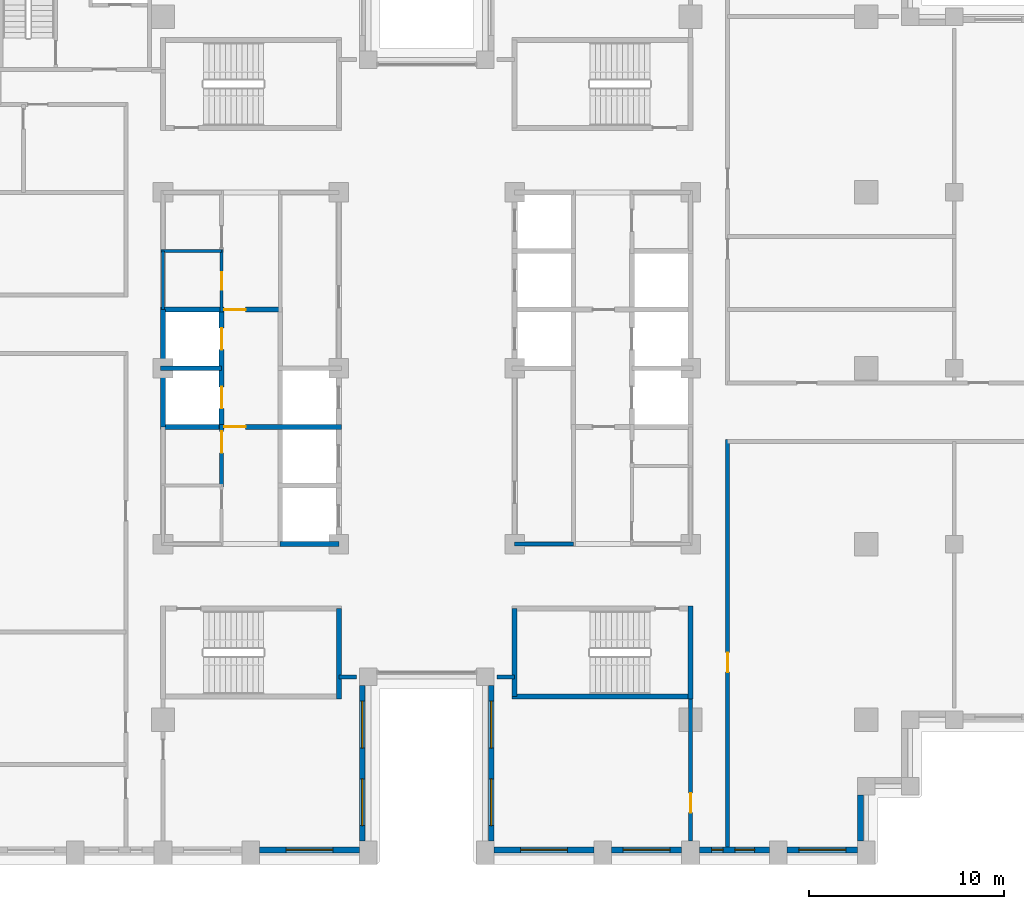
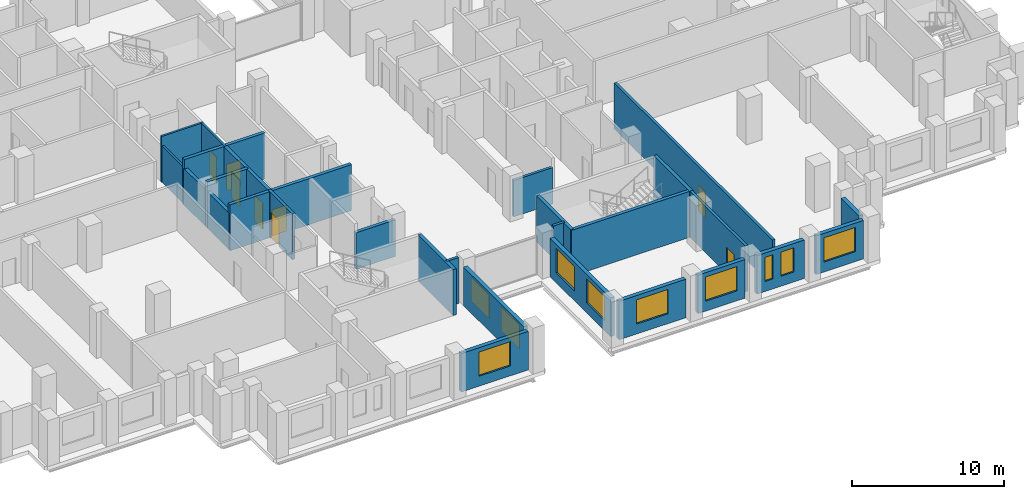
# One storey, part 7 of 15: 27 walls, 10 windows, 8 doors, 18 openings.
"""IFC4 building model written with IfcOpenShell, lengths in metres."""

from ifc_helpers import new_model, si_unit, direction, frame, frame_2d, origin, place, context, subcontext, project, spatial, rectangle, extrude, material, layer, layer_set, type_object, element, fill, save


model = new_model("IFC4")

# Units and contexts
model_context = context("Model", 3, precision=1e-05, world=origin(), true_north=direction((0.0, 1.0)))
body_context = subcontext(model_context, "Body", "Model", "MODEL_VIEW")
ifc_project = project(units=[si_unit("LENGTHUNIT", "METRE"), si_unit("AREAUNIT", "SQUARE_METRE"), si_unit("VOLUMEUNIT", "CUBIC_METRE"), si_unit("PLANEANGLEUNIT", "RADIAN"), si_unit("MASSUNIT", "GRAM", prefix="KILO")], contexts=[model_context])

# Site, building, storey
site_placement = place(None, origin())
site = spatial("IfcSite", under=ifc_project, at=site_placement, CompositionType="ELEMENT")
building_placement = place(site_placement, origin())
building = spatial("IfcBuilding", under=site, at=building_placement, Name="Corbelhall Arena Tower", CompositionType="ELEMENT")
storey_placement = place(building_placement, frame((0.0, 0.0, 84.0)))
storey = spatial("IfcBuildingStorey", under=building, at=storey_placement, Name="L13", CompositionType="ELEMENT", Elevation=84.0)

# Wall, opening, window
ifc_material_1 = material(Name="Precast concrete C40/50 with granite facing", Category="masonry")
ifc_layer_1 = layer(ifc_material_1, 0.300048828125)
ifc_layer_set_1 = layer_set([ifc_layer_1], Name="EV-IW1 Infill panel 300")
wall_type_1 = type_object("IfcWallType", Name="EV-IW1 Infill panel 300", PredefinedType="SOLIDWALL", material=ifc_layer_set_1)
wall_1_placement = place(storey_placement, frame((-8.550048828125, -24.64990234375, 0.0), z_axis=(0.0, 0.0, 1.0), x_axis=(1.0, 0.0, 0.0)))
wall_1 = element("IfcWall", 1, at=wall_1_placement, inside=storey, type_object=wall_type_1, Name="Infill panel IW1", PredefinedType="SOLIDWALL", context=body_context, shape_type="SweptSolid", body=[
    extrude(rectangle(XDim=5.10009765625, YDim=0.300048828125, at=frame_2d((2.550048828125, 0.0))), origin(), (0.0, 0.0, 1.0), 3.10009765625),
])
opening_1_placement = place(wall_1_placement, frame((1.35009765625, 0.0, 0.800048828125)))
opening_1 = element("IfcOpeningElement", 2, at=opening_1_placement, cuts=wall_1, Name="Opening WN1", PredefinedType="OPENING", context=body_context, shape_type="SweptSolid", body=[
    extrude(rectangle(XDim=2.39990234375, YDim=1.949951171875, at=frame_2d((1.199951171875, 0.97509765625))), frame((0.0, 0.14990234375, 0.0), z_axis=(0.0, -1.0, 0.0), x_axis=(1.0, 0.0, 0.0)), (0.0, 0.0, 1.0), 0.300048828125),
])
ifc_material_2 = material(Name="Aluminium black anodised", Category="aluminium")
window_type_1 = type_object("IfcWindowType", Name="EV-WN1 Office window", PartitioningType="SINGLE_PANEL", PredefinedType="WINDOW", material=ifc_material_2)
window_1_placement = place(opening_1_placement, origin())
window_1 = element("IfcWindow", 3, at=window_1_placement, inside=storey, type_object=window_type_1, Name="Window WN1", OverallHeight=1.949951171875, OverallWidth=2.39990234375, PartitioningType="SINGLE_PANEL", PredefinedType="WINDOW", context=body_context, shape_type="SweptSolid", body=[
    extrude(rectangle(XDim=2.39990234375, YDim=1.949951171875, at=frame_2d((1.199951171875, 0.97509765625))), frame((0.0, 0.030029296875, 0.0), z_axis=(0.0, -1.0, 0.0), x_axis=(1.0, 0.0, 0.0)), (0.0, 0.0, 1.0), 0.06005859375),
])
fill(opening_1, window_1)

# Wall, openings, windows
wall_2_placement = place(storey_placement, frame((-3.300048828125, -24.199951171875, 0.0), z_axis=(0.0, 0.0, 1.0), x_axis=(0.0, 1.0, 0.0)))
wall_2 = element("IfcWall", 4, at=wall_2_placement, inside=storey, type_object=wall_type_1, Name="Infill panel IW1", PredefinedType="SOLIDWALL", context=body_context, shape_type="SweptSolid", body=[
    extrude(rectangle(XDim=7.949951171875, YDim=0.300048828125, at=frame_2d((3.97509765625, 0.0))), origin(), (0.0, 0.0, 1.0), 3.10009765625),
])
opening_2_placement = place(wall_2_placement, frame((0.78759765625, 0.0, 0.800048828125)))
opening_2 = element("IfcOpeningElement", 5, at=opening_2_placement, cuts=wall_2, Name="Opening WN1", PredefinedType="OPENING", context=body_context, shape_type="SweptSolid", body=[
    extrude(rectangle(XDim=2.39990234375, YDim=1.949951171875, at=frame_2d((1.199951171875, 0.97509765625))), frame((0.0, 0.14990234375, 0.0), z_axis=(0.0, -1.0, 0.0), x_axis=(1.0, 0.0, 0.0)), (0.0, 0.0, 1.0), 0.300048828125),
])
opening_3_placement = place(wall_2_placement, frame((4.762451171875, 0.0, 0.800048828125)))
opening_3 = element("IfcOpeningElement", 6, at=opening_3_placement, cuts=wall_2, Name="Opening WN1", PredefinedType="OPENING", context=body_context, shape_type="SweptSolid", body=[
    extrude(rectangle(XDim=2.39990234375, YDim=1.949951171875, at=frame_2d((1.199951171875, 0.97509765625))), frame((0.0, 0.14990234375, 0.0), z_axis=(0.0, -1.0, 0.0), x_axis=(1.0, 0.0, 0.0)), (0.0, 0.0, 1.0), 0.300048828125),
])
window_2_placement = place(opening_2_placement, origin())
window_2 = element("IfcWindow", 7, at=window_2_placement, inside=storey, type_object=window_type_1, Name="Window WN1", OverallHeight=1.949951171875, OverallWidth=2.39990234375, PartitioningType="SINGLE_PANEL", PredefinedType="WINDOW", context=body_context, shape_type="SweptSolid", body=[
    extrude(rectangle(XDim=2.39990234375, YDim=1.949951171875, at=frame_2d((1.199951171875, 0.97509765625))), frame((0.0, 0.030029296875, 0.0), z_axis=(0.0, -1.0, 0.0), x_axis=(1.0, 0.0, 0.0)), (0.0, 0.0, 1.0), 0.06005859375),
])
fill(opening_2, window_2)
window_3_placement = place(opening_3_placement, origin())
window_3 = element("IfcWindow", 8, at=window_3_placement, inside=storey, type_object=window_type_1, Name="Window WN1", OverallHeight=1.949951171875, OverallWidth=2.39990234375, PartitioningType="SINGLE_PANEL", PredefinedType="WINDOW", context=body_context, shape_type="SweptSolid", body=[
    extrude(rectangle(XDim=2.39990234375, YDim=1.949951171875, at=frame_2d((1.199951171875, 0.97509765625))), frame((0.0, 0.030029296875, 0.0), z_axis=(0.0, -1.0, 0.0), x_axis=(1.0, 0.0, 0.0)), (0.0, 0.0, 1.0), 0.06005859375),
])
fill(opening_3, window_3)

wall_3_placement = place(storey_placement, frame((3.300048828125, -16.25, 0.0), z_axis=(0.0, 0.0, 1.0), x_axis=(0.0, -1.0, 0.0)))
wall_3 = element("IfcWall", 9, at=wall_3_placement, inside=storey, type_object=wall_type_1, Name="Infill panel IW1", PredefinedType="SOLIDWALL", context=body_context, shape_type="SweptSolid", body=[
    extrude(rectangle(XDim=7.949951171875, YDim=0.300048828125, at=frame_2d((3.97509765625, 0.0))), origin(), (0.0, 0.0, 1.0), 3.10009765625),
])
opening_4_placement = place(wall_3_placement, frame((0.78759765625, 0.0, 0.800048828125)))
opening_4 = element("IfcOpeningElement", 10, at=opening_4_placement, cuts=wall_3, Name="Opening WN1", PredefinedType="OPENING", context=body_context, shape_type="SweptSolid", body=[
    extrude(rectangle(XDim=2.39990234375, YDim=1.949951171875, at=frame_2d((1.199951171875, 0.97509765625))), frame((0.0, 0.14990234375, 0.0), z_axis=(0.0, -1.0, 0.0), x_axis=(1.0, 0.0, 0.0)), (0.0, 0.0, 1.0), 0.300048828125),
])
opening_5_placement = place(wall_3_placement, frame((4.762451171875, 0.0, 0.800048828125)))
opening_5 = element("IfcOpeningElement", 11, at=opening_5_placement, cuts=wall_3, Name="Opening WN1", PredefinedType="OPENING", context=body_context, shape_type="SweptSolid", body=[
    extrude(rectangle(XDim=2.39990234375, YDim=1.949951171875, at=frame_2d((1.199951171875, 0.97509765625))), frame((0.0, 0.14990234375, 0.0), z_axis=(0.0, -1.0, 0.0), x_axis=(1.0, 0.0, 0.0)), (0.0, 0.0, 1.0), 0.300048828125),
])
window_4_placement = place(opening_4_placement, origin())
window_4 = element("IfcWindow", 12, at=window_4_placement, inside=storey, type_object=window_type_1, Name="Window WN1", OverallHeight=1.949951171875, OverallWidth=2.39990234375, PartitioningType="SINGLE_PANEL", PredefinedType="WINDOW", context=body_context, shape_type="SweptSolid", body=[
    extrude(rectangle(XDim=2.39990234375, YDim=1.949951171875, at=frame_2d((1.199951171875, 0.97509765625))), frame((0.0, 0.030029296875, 0.0), z_axis=(0.0, -1.0, 0.0), x_axis=(1.0, 0.0, 0.0)), (0.0, 0.0, 1.0), 0.06005859375),
])
fill(opening_4, window_4)
window_5_placement = place(opening_5_placement, origin())
window_5 = element("IfcWindow", 13, at=window_5_placement, inside=storey, type_object=window_type_1, Name="Window WN1", OverallHeight=1.949951171875, OverallWidth=2.39990234375, PartitioningType="SINGLE_PANEL", PredefinedType="WINDOW", context=body_context, shape_type="SweptSolid", body=[
    extrude(rectangle(XDim=2.39990234375, YDim=1.949951171875, at=frame_2d((1.199951171875, 0.97509765625))), frame((0.0, 0.030029296875, 0.0), z_axis=(0.0, -1.0, 0.0), x_axis=(1.0, 0.0, 0.0)), (0.0, 0.0, 1.0), 0.06005859375),
])
fill(opening_5, window_5)

# Wall, opening, window
wall_4_placement = place(storey_placement, frame((3.449951171875, -24.64990234375, 0.0), z_axis=(0.0, 0.0, 1.0), x_axis=(1.0, 0.0, 0.0)))
wall_4 = element("IfcWall", 14, at=wall_4_placement, inside=storey, type_object=wall_type_1, Name="Infill panel IW1", PredefinedType="SOLIDWALL", context=body_context, shape_type="SweptSolid", body=[
    extrude(rectangle(XDim=5.10009765625, YDim=0.300048828125, at=frame_2d((2.550048828125, 0.0))), origin(), (0.0, 0.0, 1.0), 3.10009765625),
])
opening_6_placement = place(wall_4_placement, frame((1.35009765625, 0.0, 0.800048828125)))
opening_6 = element("IfcOpeningElement", 15, at=opening_6_placement, cuts=wall_4, Name="Opening WN1", PredefinedType="OPENING", context=body_context, shape_type="SweptSolid", body=[
    extrude(rectangle(XDim=2.39990234375, YDim=1.949951171875, at=frame_2d((1.199951171875, 0.97509765625))), frame((0.0, 0.14990234375, 0.0), z_axis=(0.0, -1.0, 0.0), x_axis=(1.0, 0.0, 0.0)), (0.0, 0.0, 1.0), 0.300048828125),
])
window_6_placement = place(opening_6_placement, origin())
window_6 = element("IfcWindow", 16, at=window_6_placement, inside=storey, type_object=window_type_1, Name="Window WN1", OverallHeight=1.949951171875, OverallWidth=2.39990234375, PartitioningType="SINGLE_PANEL", PredefinedType="WINDOW", context=body_context, shape_type="SweptSolid", body=[
    extrude(rectangle(XDim=2.39990234375, YDim=1.949951171875, at=frame_2d((1.199951171875, 0.97509765625))), frame((0.0, 0.030029296875, 0.0), z_axis=(0.0, -1.0, 0.0), x_axis=(1.0, 0.0, 0.0)), (0.0, 0.0, 1.0), 0.06005859375),
])
fill(opening_6, window_6)

wall_5_placement = place(storey_placement, frame((9.449951171875, -24.64990234375, 0.0), z_axis=(0.0, 0.0, 1.0), x_axis=(1.0, 0.0, 0.0)))
wall_5 = element("IfcWall", 17, at=wall_5_placement, inside=storey, type_object=wall_type_1, Name="Infill panel IW1", PredefinedType="SOLIDWALL", context=body_context, shape_type="SweptSolid", body=[
    extrude(rectangle(XDim=3.60009765625, YDim=0.300048828125, at=frame_2d((1.800048828125, 0.0))), origin(), (0.0, 0.0, 1.0), 3.10009765625),
])
opening_7_placement = place(wall_5_placement, frame((0.60009765625, 0.0, 0.800048828125)))
opening_7 = element("IfcOpeningElement", 18, at=opening_7_placement, cuts=wall_5, Name="Opening WN1", PredefinedType="OPENING", context=body_context, shape_type="SweptSolid", body=[
    extrude(rectangle(XDim=2.39990234375, YDim=1.949951171875, at=frame_2d((1.199951171875, 0.97509765625))), frame((0.0, 0.14990234375, 0.0), z_axis=(0.0, -1.0, 0.0), x_axis=(1.0, 0.0, 0.0)), (0.0, 0.0, 1.0), 0.300048828125),
])
window_7_placement = place(opening_7_placement, origin())
window_7 = element("IfcWindow", 19, at=window_7_placement, inside=storey, type_object=window_type_1, Name="Window WN1", OverallHeight=1.949951171875, OverallWidth=2.39990234375, PartitioningType="SINGLE_PANEL", PredefinedType="WINDOW", context=body_context, shape_type="SweptSolid", body=[
    extrude(rectangle(XDim=2.39990234375, YDim=1.949951171875, at=frame_2d((1.199951171875, 0.97509765625))), frame((0.0, 0.030029296875, 0.0), z_axis=(0.0, -1.0, 0.0), x_axis=(1.0, 0.0, 0.0)), (0.0, 0.0, 1.0), 0.06005859375),
])
fill(opening_7, window_7)

# Wall, openings, windows
wall_6_placement = place(storey_placement, frame((13.949951171875, -24.64990234375, 0.0), z_axis=(0.0, 0.0, 1.0), x_axis=(1.0, 0.0, 0.0)))
wall_6 = element("IfcWall", 20, at=wall_6_placement, inside=storey, type_object=wall_type_1, Name="Infill panel IW1", PredefinedType="SOLIDWALL", context=body_context, shape_type="SweptSolid", body=[
    extrude(rectangle(XDim=3.60009765625, YDim=0.300048828125, at=frame_2d((1.800048828125, 0.0))), origin(), (0.0, 0.0, 1.0), 3.10009765625),
])
opening_8_placement = place(wall_6_placement, frame((0.625, 0.0, 0.800048828125)))
opening_8 = element("IfcOpeningElement", 21, at=opening_8_placement, cuts=wall_6, Name="Opening WN5", PredefinedType="OPENING", context=body_context, shape_type="SweptSolid", body=[
    extrude(rectangle(XDim=0.60009765625, YDim=1.949951171875, at=frame_2d((0.300048828125, 0.97509765625))), frame((0.0, 0.14990234375, 0.0), z_axis=(0.0, -1.0, 0.0), x_axis=(1.0, 0.0, 0.0)), (0.0, 0.0, 1.0), 0.300048828125),
])
opening_9_placement = place(wall_6_placement, frame((1.824951171875, 0.0, 0.800048828125)))
opening_9 = element("IfcOpeningElement", 22, at=opening_9_placement, cuts=wall_6, Name="Opening WN6", PredefinedType="OPENING", context=body_context, shape_type="SweptSolid", body=[
    extrude(rectangle(XDim=1.0, YDim=1.949951171875, at=frame_2d((0.5, 0.97509765625))), frame((0.0, 0.14990234375, 0.0), z_axis=(0.0, -1.0, 0.0), x_axis=(1.0, 0.0, 0.0)), (0.0, 0.0, 1.0), 0.300048828125),
])
window_type_2 = type_object("IfcWindowType", Name="EV-WN5 Office window 600", PartitioningType="SINGLE_PANEL", PredefinedType="WINDOW", material=ifc_material_2)
window_8_placement = place(opening_8_placement, origin())
window_8 = element("IfcWindow", 23, at=window_8_placement, inside=storey, type_object=window_type_2, Name="Window WN5", OverallHeight=1.949951171875, OverallWidth=0.60009765625, PartitioningType="SINGLE_PANEL", PredefinedType="WINDOW", context=body_context, shape_type="SweptSolid", body=[
    extrude(rectangle(XDim=0.60009765625, YDim=1.949951171875, at=frame_2d((0.300048828125, 0.97509765625))), frame((0.0, 0.030029296875, 0.0), z_axis=(0.0, -1.0, 0.0), x_axis=(1.0, 0.0, 0.0)), (0.0, 0.0, 1.0), 0.06005859375),
])
fill(opening_8, window_8)
window_type_3 = type_object("IfcWindowType", Name="EV-WN6 Office window 1000", PartitioningType="SINGLE_PANEL", PredefinedType="WINDOW", material=ifc_material_2)
window_9_placement = place(opening_9_placement, origin())
window_9 = element("IfcWindow", 24, at=window_9_placement, inside=storey, type_object=window_type_3, Name="Window WN6", OverallHeight=1.949951171875, OverallWidth=1.0, PartitioningType="SINGLE_PANEL", PredefinedType="WINDOW", context=body_context, shape_type="SweptSolid", body=[
    extrude(rectangle(XDim=1.0, YDim=1.949951171875, at=frame_2d((0.5, 0.97509765625))), frame((0.0, 0.030029296875, 0.0), z_axis=(0.0, -1.0, 0.0), x_axis=(1.0, 0.0, 0.0)), (0.0, 0.0, 1.0), 0.06005859375),
])
fill(opening_9, window_9)

# Wall, opening, window
wall_7_placement = place(storey_placement, frame((18.449951171875, -24.64990234375, 0.0), z_axis=(0.0, 0.0, 1.0), x_axis=(1.0, 0.0, 0.0)))
wall_7 = element("IfcWall", 25, at=wall_7_placement, inside=storey, type_object=wall_type_1, Name="Infill panel IW1", PredefinedType="SOLIDWALL", context=body_context, shape_type="SweptSolid", body=[
    extrude(rectangle(XDim=3.60009765625, YDim=0.300048828125, at=frame_2d((1.800048828125, 0.0))), origin(), (0.0, 0.0, 1.0), 3.10009765625),
])
opening_10_placement = place(wall_7_placement, frame((0.60009765625, 0.0, 0.800048828125)))
opening_10 = element("IfcOpeningElement", 26, at=opening_10_placement, cuts=wall_7, Name="Opening WN1", PredefinedType="OPENING", context=body_context, shape_type="SweptSolid", body=[
    extrude(rectangle(XDim=2.39990234375, YDim=1.949951171875, at=frame_2d((1.199951171875, 0.97509765625))), frame((0.0, 0.14990234375, 0.0), z_axis=(0.0, -1.0, 0.0), x_axis=(1.0, 0.0, 0.0)), (0.0, 0.0, 1.0), 0.300048828125),
])
window_10_placement = place(opening_10_placement, origin())
window_10 = element("IfcWindow", 27, at=window_10_placement, inside=storey, type_object=window_type_1, Name="Window WN1", OverallHeight=1.949951171875, OverallWidth=2.39990234375, PartitioningType="SINGLE_PANEL", PredefinedType="WINDOW", context=body_context, shape_type="SweptSolid", body=[
    extrude(rectangle(XDim=2.39990234375, YDim=1.949951171875, at=frame_2d((1.199951171875, 0.97509765625))), frame((0.0, 0.030029296875, 0.0), z_axis=(0.0, -1.0, 0.0), x_axis=(1.0, 0.0, 0.0)), (0.0, 0.0, 1.0), 0.06005859375),
])
fill(opening_10, window_10)

# Walls
wall_8_placement = place(storey_placement, frame((22.199951171875, -24.199951171875, 0.0), z_axis=(0.0, 0.0, 1.0), x_axis=(0.0, 1.0, 0.0)))
element("IfcWall", 28, at=wall_8_placement, inside=storey, type_object=wall_type_1, Name="Infill panel IW1", PredefinedType="SOLIDWALL", context=body_context, shape_type="SweptSolid", body=[
    extrude(rectangle(XDim=2.349853515625, YDim=0.300048828125, at=frame_2d((1.1748046875, 0.0))), origin(), (0.0, 0.0, 1.0), 3.10009765625),
])
ifc_material_3 = material(Name="Gypsum board on steel stud, acoustic", Category="steel")
ifc_layer_2 = layer(ifc_material_3, 0.199951171875)
ifc_layer_set_2 = layer_set([ifc_layer_2], Name="IN-W-DM200")
wall_type_2 = type_object("IfcWallType", Name="IN-W-DM200", PredefinedType="PARTITIONING", material=ifc_layer_set_2)
for number, where, z_axis, x_axis, name in (
    (29, (-3.60009765625, -15.800048828125, 0.0), (0.0, 0.0, 1.0), (-1.0, 0.0, 0.0), "Partition 023"),
    (30, (4.5, -15.800048828125, 0.0), (0.0, 0.0, 1.0), (-1.0, 0.0, 0.0), "Partition 025"),
):
    element("IfcWall", number, at=place(storey_placement, frame(where, z_axis=z_axis, x_axis=x_axis)), inside=storey, type_object=wall_type_2, Name=name, PredefinedType="PARTITIONING", context=body_context, shape_type="SweptSolid", body=[
        extrude(rectangle(XDim=0.89990234375, YDim=0.199951171875, at=frame_2d((0.449951171875, 0.0))), origin(), (0.0, 0.0, 1.0), 3.699951171875),
    ])

# Wall, opening, door
wall_9_placement = place(storey_placement, frame((13.5, -24.199951171875, 0.0), z_axis=(0.0, 0.0, 1.0), x_axis=(0.0, 1.0, 0.0)))
wall_9 = element("IfcWall", 31, at=wall_9_placement, inside=storey, type_object=wall_type_2, Name="Partition 026", PredefinedType="PARTITIONING", context=body_context, shape_type="SweptSolid", body=[
    extrude(rectangle(XDim=7.52490234375, YDim=0.199951171875, at=frame_2d((3.762451171875, 0.0))), origin(), (0.0, 0.0, 1.0), 3.699951171875),
])
opening_11_placement = place(wall_9_placement, frame((1.449951171875, 0.0, 0.0)))
opening_11 = element("IfcOpeningElement", 32, at=opening_11_placement, cuts=wall_9, Name="Opening 02025", PredefinedType="OPENING", context=body_context, shape_type="SweptSolid", body=[
    extrude(rectangle(XDim=1.0, YDim=2.10009765625, at=frame_2d((0.5, 1.050048828125))), frame((0.0, 0.10009765625, 0.0), z_axis=(0.0, -1.0, 0.0), x_axis=(1.0, 0.0, 0.0)), (0.0, 0.0, 1.0), 0.199951171875),
])
ifc_material_4 = material(Name="Steel door set", Category="steel")
door_type_1 = type_object("IfcDoorType", Name="IN-D-SW100", OperationType="NOTDEFINED", PredefinedType="DOOR", material=ifc_material_4)
door_1_placement = place(opening_11_placement, origin())
door_1 = element("IfcDoor", 33, at=door_1_placement, inside=storey, type_object=door_type_1, Name="Door 025", OperationType="SINGLE_SWING_RIGHT", OverallHeight=2.10009765625, OverallWidth=1.0, PredefinedType="DOOR", context=body_context, shape_type="SweptSolid", body=[
    extrude(rectangle(XDim=1.0, YDim=2.10009765625, at=frame_2d((0.5, 1.050048828125))), frame((0.0, 0.02490234375, 0.0), z_axis=(0.0, -1.0, 0.0), x_axis=(1.0, 0.0, 0.0)), (0.0, 0.0, 1.0), 0.050048828125),
])
fill(opening_11, door_1)

wall_10_placement = place(storey_placement, frame((15.39990234375, -3.64990234375, 0.0), z_axis=(0.0, 0.0, 1.0), x_axis=(0.0, -1.0, 0.0)))
wall_10 = element("IfcWall", 34, at=wall_10_placement, inside=storey, type_object=wall_type_2, Name="Partition 028", PredefinedType="PARTITIONING", context=body_context, shape_type="SweptSolid", body=[
    extrude(rectangle(XDim=20.85009765625, YDim=0.199951171875, at=frame_2d((10.425048828125, 0.0))), origin(), (0.0, 0.0, 1.0), 3.699951171875),
])
opening_12_placement = place(wall_10_placement, frame((10.89990234375, 0.0, 0.0)))
opening_12 = element("IfcOpeningElement", 35, at=opening_12_placement, cuts=wall_10, Name="Opening 02036", PredefinedType="OPENING", context=body_context, shape_type="SweptSolid", body=[
    extrude(rectangle(XDim=1.0, YDim=2.10009765625, at=frame_2d((0.5, 1.050048828125))), frame((0.0, 0.10009765625, 0.0), z_axis=(0.0, -1.0, 0.0), x_axis=(1.0, 0.0, 0.0)), (0.0, 0.0, 1.0), 0.199951171875),
])
door_2_placement = place(opening_12_placement, origin())
door_2 = element("IfcDoor", 36, at=door_2_placement, inside=storey, type_object=door_type_1, Name="Door 036", OperationType="SINGLE_SWING_LEFT", OverallHeight=2.10009765625, OverallWidth=1.0, PredefinedType="DOOR", context=body_context, shape_type="SweptSolid", body=[
    extrude(rectangle(XDim=1.0, YDim=2.10009765625, at=frame_2d((0.5, 1.050048828125))), frame((0.0, 0.02490234375, 0.0), z_axis=(0.0, -1.0, 0.0), x_axis=(1.0, 0.0, 0.0)), (0.0, 0.0, 1.0), 0.050048828125),
])
fill(opening_12, door_2)

ifc_material_5 = material(Name="Concrete block wall", Category="concrete")
ifc_layer_3 = layer(ifc_material_5, 0.199951171875)
ifc_layer_set_3 = layer_set([ifc_layer_3], Name="IN-W-RS200")
wall_type_3 = type_object("IfcWallType", Name="IN-W-RS200", PredefinedType="SOLIDWALL", material=ifc_layer_set_3)
wall_11_placement = place(storey_placement, frame((-10.5, -6.074951171875, 0.0), z_axis=(0.0, 0.0, 1.0), x_axis=(0.0, 1.0, 0.0)))
wall_11 = element("IfcWall", 37, at=wall_11_placement, inside=storey, type_object=wall_type_3, Name="Partition 045", PredefinedType="SOLIDWALL", context=body_context, shape_type="SweptSolid", body=[
    extrude(rectangle(XDim=3.199951171875, YDim=0.199951171875, at=frame_2d((1.60009765625, 0.0))), origin(), (0.0, 0.0, 1.0), 3.699951171875),
])
opening_13_placement = place(wall_11_placement, frame((1.75, 0.0, 0.0)))
opening_13 = element("IfcOpeningElement", 38, at=opening_13_placement, cuts=wall_11, Name="Opening 02005", PredefinedType="OPENING", context=body_context, shape_type="SweptSolid", body=[
    extrude(rectangle(XDim=1.10009765625, YDim=2.10009765625, at=frame_2d((0.550048828125, 1.050048828125))), frame((0.0, 0.10009765625, 0.0), z_axis=(0.0, -1.0, 0.0), x_axis=(1.0, 0.0, 0.0)), (0.0, 0.0, 1.0), 0.199951171875),
])
door_type_2 = type_object("IfcDoorType", Name="IN-D-FD110", OperationType="NOTDEFINED", PredefinedType="DOOR", material=ifc_material_4)
door_3_placement = place(opening_13_placement, origin())
door_3 = element("IfcDoor", 39, at=door_3_placement, inside=storey, type_object=door_type_2, Name="Door 005", OperationType="SINGLE_SWING_RIGHT", OverallHeight=2.10009765625, OverallWidth=1.10009765625, PredefinedType="DOOR", context=body_context, shape_type="SweptSolid", body=[
    extrude(rectangle(XDim=1.10009765625, YDim=2.10009765625, at=frame_2d((0.550048828125, 1.050048828125))), frame((0.0, 0.02490234375, 0.0), z_axis=(0.0, -1.0, 0.0), x_axis=(1.0, 0.0, 0.0)), (0.0, 0.0, 1.0), 0.050048828125),
])
fill(opening_13, door_3)

# Walls
ifc_layer_4 = layer(ifc_material_5, 0.199951171875)
ifc_layer_set_4 = layer_set([ifc_layer_4], Name="IN-W-RS200 under beam 762 mm")
wall_type_4 = type_object("IfcWallType", Name="IN-W-RS200 under beam 762 mm", PredefinedType="SOLIDWALL", material=ifc_layer_set_4)
wall_12_placement = place(storey_placement, frame((7.5, -9.0, 0.0), z_axis=(0.0, 0.0, 1.0), x_axis=(-1.0, 0.0, 0.0)))
element("IfcWall", 40, at=wall_12_placement, inside=storey, type_object=wall_type_4, Name="Partition 051", PredefinedType="SOLIDWALL", context=body_context, shape_type="SweptSolid", body=[
    extrude(rectangle(XDim=3.0, YDim=0.199951171875, at=frame_2d((1.5, 0.0))), origin(), (0.0, 0.0, 1.0), 2.93798828125),
])
ifc_material_6 = material(Name="Concrete C40/50", Category="concrete")
ifc_layer_5 = layer(ifc_material_6, 0.25)
ifc_layer_set_5 = layer_set([ifc_layer_5], Name="IN-W-SH250")
wall_type_5 = type_object("IfcWallType", Name="IN-W-SH250", PredefinedType="SOLIDWALL", material=ifc_layer_set_5)
wall_13_placement = place(storey_placement, frame((-13.625, 0.0, 0.0), z_axis=(0.0, 0.0, 1.0), x_axis=(1.0, 0.0, 0.0)))
element("IfcWall", 41, at=wall_13_placement, inside=storey, type_object=wall_type_5, Name="Shaft wall 058", PredefinedType="SOLIDWALL", context=body_context, shape_type="SweptSolid", body=[
    extrude(rectangle(XDim=3.125, YDim=0.25, at=frame_2d((1.5625, 0.0))), origin(), (0.0, 0.0, 1.0), 3.699951171875),
])

# Wall, opening, door
wall_14_placement = place(storey_placement, frame((-13.625, 3.0, 0.0), z_axis=(0.0, 0.0, 1.0), x_axis=(1.0, 0.0, 0.0)))
wall_14 = element("IfcWall", 42, at=wall_14_placement, inside=storey, type_object=wall_type_5, Name="Shaft wall 059", PredefinedType="SOLIDWALL", context=body_context, shape_type="SweptSolid", body=[
    extrude(rectangle(XDim=6.125, YDim=0.25, at=frame_2d((3.0625, 0.0))), origin(), (0.0, 0.0, 1.0), 3.699951171875),
])
opening_14_placement = place(wall_14_placement, frame((3.25, 0.0, 0.0)))
opening_14 = element("IfcOpeningElement", 43, at=opening_14_placement, cuts=wall_14, Name="Opening 02003", PredefinedType="OPENING", context=body_context, shape_type="SweptSolid", body=[
    extrude(rectangle(XDim=1.10009765625, YDim=2.10009765625, at=frame_2d((0.550048828125, 1.050048828125))), frame((0.0, 0.125, 0.0), z_axis=(0.0, -1.0, 0.0), x_axis=(1.0, 0.0, 0.0)), (0.0, 0.0, 1.0), 0.25),
])
door_4_placement = place(opening_14_placement, origin())
door_4 = element("IfcDoor", 44, at=door_4_placement, inside=storey, type_object=door_type_2, Name="Door 003", OperationType="SINGLE_SWING_RIGHT", OverallHeight=2.10009765625, OverallWidth=1.10009765625, PredefinedType="DOOR", context=body_context, shape_type="SweptSolid", body=[
    extrude(rectangle(XDim=1.10009765625, YDim=2.10009765625, at=frame_2d((0.550048828125, 1.050048828125))), frame((0.0, 0.02490234375, 0.0), z_axis=(0.0, -1.0, 0.0), x_axis=(1.0, 0.0, 0.0)), (0.0, 0.0, 1.0), 0.050048828125),
])
fill(opening_14, door_4)

wall_15_placement = place(storey_placement, frame((-13.625, -3.0, 0.0), z_axis=(0.0, 0.0, 1.0), x_axis=(1.0, 0.0, 0.0)))
wall_15 = element("IfcWall", 45, at=wall_15_placement, inside=storey, type_object=wall_type_5, Name="Shaft wall 061", PredefinedType="SOLIDWALL", context=body_context, shape_type="SweptSolid", body=[
    extrude(rectangle(XDim=9.25, YDim=0.25, at=frame_2d((4.625, 0.0))), origin(), (0.0, 0.0, 1.0), 3.699951171875),
])
opening_15_placement = place(wall_15_placement, frame((3.25, 0.0, 0.0)))
opening_15 = element("IfcOpeningElement", 46, at=opening_15_placement, cuts=wall_15, Name="Opening 02002", PredefinedType="OPENING", context=body_context, shape_type="SweptSolid", body=[
    extrude(rectangle(XDim=1.10009765625, YDim=2.10009765625, at=frame_2d((0.550048828125, 1.050048828125))), frame((0.0, 0.125, 0.0), z_axis=(0.0, -1.0, 0.0), x_axis=(1.0, 0.0, 0.0)), (0.0, 0.0, 1.0), 0.25),
])
door_5_placement = place(opening_15_placement, origin())
door_5 = element("IfcDoor", 47, at=door_5_placement, inside=storey, type_object=door_type_2, Name="Door 002", OperationType="SINGLE_SWING_LEFT", OverallHeight=2.10009765625, OverallWidth=1.10009765625, PredefinedType="DOOR", context=body_context, shape_type="SweptSolid", body=[
    extrude(rectangle(XDim=1.10009765625, YDim=2.10009765625, at=frame_2d((0.550048828125, 1.050048828125))), frame((0.0, 0.02490234375, 0.0), z_axis=(0.0, -1.0, 0.0), x_axis=(1.0, 0.0, 0.0)), (0.0, 0.0, 1.0), 0.050048828125),
])
fill(opening_15, door_5)

# Wall, openings, doors
wall_16_placement = place(storey_placement, frame((-10.5, -3.125, 0.0), z_axis=(0.0, 0.0, 1.0), x_axis=(0.0, 1.0, 0.0)))
wall_16 = element("IfcWall", 48, at=wall_16_placement, inside=storey, type_object=wall_type_5, Name="Shaft wall 062", PredefinedType="SOLIDWALL", context=body_context, shape_type="SweptSolid", body=[
    extrude(rectangle(XDim=6.25, YDim=0.25, at=frame_2d((3.125, 0.0))), origin(), (0.0, 0.0, 1.0), 3.699951171875),
])
opening_16_placement = place(wall_16_placement, frame((1.074951171875, 0.0, 0.0)))
opening_16 = element("IfcOpeningElement", 49, at=opening_16_placement, cuts=wall_16, Name="Opening LD", PredefinedType="OPENING", context=body_context, shape_type="SweptSolid", body=[
    extrude(rectangle(XDim=1.10009765625, YDim=2.10009765625, at=frame_2d((0.550048828125, 1.050048828125))), frame((0.0, 0.125, 0.0), z_axis=(0.0, -1.0, 0.0), x_axis=(1.0, 0.0, 0.0)), (0.0, 0.0, 1.0), 0.25),
])
opening_17_placement = place(wall_16_placement, frame((4.074951171875, 0.0, 0.0)))
opening_17 = element("IfcOpeningElement", 50, at=opening_17_placement, cuts=wall_16, Name="Opening LD", PredefinedType="OPENING", context=body_context, shape_type="SweptSolid", body=[
    extrude(rectangle(XDim=1.10009765625, YDim=2.10009765625, at=frame_2d((0.550048828125, 1.050048828125))), frame((0.0, 0.125, 0.0), z_axis=(0.0, -1.0, 0.0), x_axis=(1.0, 0.0, 0.0)), (0.0, 0.0, 1.0), 0.25),
])
door_type_3 = type_object("IfcDoorType", Name="IN-D-LD110", OperationType="NOTDEFINED", PredefinedType="DOOR", material=ifc_material_4)
door_6_placement = place(opening_16_placement, origin())
door_6 = element("IfcDoor", 51, at=door_6_placement, inside=storey, type_object=door_type_3, Name="Landing door W3", OperationType="SLIDING_TO_LEFT", OverallHeight=2.10009765625, OverallWidth=1.10009765625, PredefinedType="DOOR", context=body_context, shape_type="SweptSolid", body=[
    extrude(rectangle(XDim=1.10009765625, YDim=2.10009765625, at=frame_2d((0.550048828125, 1.050048828125))), frame((0.0, 0.02490234375, 0.0), z_axis=(0.0, -1.0, 0.0), x_axis=(1.0, 0.0, 0.0)), (0.0, 0.0, 1.0), 0.050048828125),
])
fill(opening_16, door_6)
door_7_placement = place(opening_17_placement, origin())
door_7 = element("IfcDoor", 52, at=door_7_placement, inside=storey, type_object=door_type_3, Name="Landing door W4", OperationType="SLIDING_TO_LEFT", OverallHeight=2.10009765625, OverallWidth=1.10009765625, PredefinedType="DOOR", context=body_context, shape_type="SweptSolid", body=[
    extrude(rectangle(XDim=1.10009765625, YDim=2.10009765625, at=frame_2d((0.550048828125, 1.050048828125))), frame((0.0, 0.02490234375, 0.0), z_axis=(0.0, -1.0, 0.0), x_axis=(1.0, 0.0, 0.0)), (0.0, 0.0, 1.0), 0.050048828125),
])
fill(opening_17, door_7)

# Walls
ifc_layer_6 = layer(ifc_material_6, 0.25)
ifc_layer_set_6 = layer_set([ifc_layer_6], Name="IN-W-SH250 under beam 762 mm")
wall_type_6 = type_object("IfcWallType", Name="IN-W-SH250 under beam 762 mm", PredefinedType="SOLIDWALL", material=ifc_layer_set_6)
wall_17_placement = place(storey_placement, frame((-13.5, -3.0, 0.0), z_axis=(0.0, 0.0, 1.0), x_axis=(0.0, 1.0, 0.0)))
element("IfcWall", 53, at=wall_17_placement, inside=storey, type_object=wall_type_6, Name="Shaft wall 060", PredefinedType="SOLIDWALL", context=body_context, shape_type="SweptSolid", body=[
    extrude(rectangle(XDim=6.0, YDim=0.25, at=frame_2d((3.0, 0.0))), origin(), (0.0, 0.0, 1.0), 2.93798828125),
])
wall_18_placement = place(storey_placement, frame((-4.5, -9.0, 0.0), z_axis=(0.0, 0.0, 1.0), x_axis=(-1.0, 0.0, 0.0)))
element("IfcWall", 54, at=wall_18_placement, inside=storey, type_object=wall_type_6, Name="Shaft wall 066", PredefinedType="SOLIDWALL", context=body_context, shape_type="SweptSolid", body=[
    extrude(rectangle(XDim=3.0, YDim=0.25, at=frame_2d((1.5, 0.0))), origin(), (0.0, 0.0, 1.0), 2.93798828125),
])
ifc_layer_7 = layer(ifc_material_6, 0.25)
ifc_layer_set_7 = layer_set([ifc_layer_7], Name="IN-W-ST250")
wall_type_7 = type_object("IfcWallType", Name="IN-W-ST250", PredefinedType="SOLIDWALL", material=ifc_layer_set_7)
wall_19_placement = place(storey_placement, frame((-4.5, -12.300048828125, 0.0), z_axis=(0.0, 0.0, 1.0), x_axis=(0.0, -1.0, 0.0)))
element("IfcWall", 55, at=wall_19_placement, inside=storey, type_object=wall_type_7, Name="Shaft wall 090", PredefinedType="SOLIDWALL", context=body_context, shape_type="SweptSolid", body=[
    extrude(rectangle(XDim=4.625, YDim=0.25, at=frame_2d((2.3125, 0.0))), origin(), (0.0, 0.0, 1.0), 3.699951171875),
])
wall_20_placement = place(storey_placement, frame((4.5, -16.800048828125, 0.0), z_axis=(0.0, 0.0, 1.0), x_axis=(0.0, 1.0, 0.0)))
element("IfcWall", 56, at=wall_20_placement, inside=storey, type_object=wall_type_7, Name="Shaft wall 095", PredefinedType="SOLIDWALL", context=body_context, shape_type="SweptSolid", body=[
    extrude(rectangle(XDim=4.5, YDim=0.25, at=frame_2d((2.25, 0.0))), origin(), (0.0, 0.0, 1.0), 3.699951171875),
])
wall_21_placement = place(storey_placement, frame((13.5, -16.925048828125, 0.0), z_axis=(0.0, 0.0, 1.0), x_axis=(0.0, 1.0, 0.0)))
element("IfcWall", 57, at=wall_21_placement, inside=storey, type_object=wall_type_7, Name="Shaft wall 097", PredefinedType="SOLIDWALL", context=body_context, shape_type="SweptSolid", body=[
    extrude(rectangle(XDim=4.75, YDim=0.25, at=frame_2d((2.375, 0.0))), origin(), (0.0, 0.0, 1.0), 3.699951171875),
])
wall_22_placement = place(storey_placement, frame((13.5, -16.800048828125, 0.0), z_axis=(0.0, 0.0, 1.0), x_axis=(-1.0, 0.0, 0.0)))
element("IfcWall", 58, at=wall_22_placement, inside=storey, type_object=wall_type_7, Name="Shaft wall 098", PredefinedType="SOLIDWALL", context=body_context, shape_type="SweptSolid", body=[
    extrude(rectangle(XDim=9.125, YDim=0.25, at=frame_2d((4.5625, 0.0))), origin(), (0.0, 0.0, 1.0), 3.699951171875),
])
ifc_material_7 = material(Name="Gypsum board on steel stud, moisture resistant", Category="steel")
ifc_layer_8 = layer(ifc_material_7, 0.14990234375)
ifc_layer_set_8 = layer_set([ifc_layer_8], Name="IN-W-WC150")
wall_type_8 = type_object("IfcWallType", Name="IN-W-WC150", PredefinedType="PARTITIONING", material=ifc_layer_set_8)
wall_23_placement = place(storey_placement, frame((-13.60009765625, 6.0, 0.0), z_axis=(0.0, 0.0, 1.0), x_axis=(1.0, 0.0, 0.0)))
element("IfcWall", 59, at=wall_23_placement, inside=storey, type_object=wall_type_8, Name="Partition 108", PredefinedType="PARTITIONING", context=body_context, shape_type="SweptSolid", body=[
    extrude(rectangle(XDim=3.10009765625, YDim=0.14990234375, at=frame_2d((1.550048828125, 0.0))), origin(), (0.0, 0.0, 1.0), 3.699951171875),
])

# Wall, opening, door
wall_24_placement = place(storey_placement, frame((-10.5, 2.875, 0.0), z_axis=(0.0, 0.0, 1.0), x_axis=(0.0, 1.0, 0.0)))
wall_24 = element("IfcWall", 60, at=wall_24_placement, inside=storey, type_object=wall_type_8, Name="Partition 113", PredefinedType="PARTITIONING", context=body_context, shape_type="SweptSolid", body=[
    extrude(rectangle(XDim=3.199951171875, YDim=0.14990234375, at=frame_2d((1.60009765625, 0.0))), origin(), (0.0, 0.0, 1.0), 3.699951171875),
])
opening_18_placement = place(wall_24_placement, frame((1.14990234375, 0.0, 0.0)))
opening_18 = element("IfcOpeningElement", 61, at=opening_18_placement, cuts=wall_24, Name="Opening 02006", PredefinedType="OPENING", context=body_context, shape_type="SweptSolid", body=[
    extrude(rectangle(XDim=0.89990234375, YDim=2.10009765625, at=frame_2d((0.449951171875, 1.050048828125))), frame((0.0, 0.074951171875, 0.0), z_axis=(0.0, -1.0, 0.0), x_axis=(1.0, 0.0, 0.0)), (0.0, 0.0, 1.0), 0.14990234375),
])
ifc_material_8 = material(Name="Timber door set", Category="wood")
door_type_4 = type_object("IfcDoorType", Name="IN-D-SW90", OperationType="NOTDEFINED", PredefinedType="DOOR", material=ifc_material_8)
door_8_placement = place(opening_18_placement, origin())
door_8 = element("IfcDoor", 62, at=door_8_placement, inside=storey, type_object=door_type_4, Name="Door 006", OperationType="SINGLE_SWING_LEFT", OverallHeight=2.10009765625, OverallWidth=0.89990234375, PredefinedType="DOOR", context=body_context, shape_type="SweptSolid", body=[
    extrude(rectangle(XDim=0.89990234375, YDim=2.10009765625, at=frame_2d((0.449951171875, 1.050048828125))), frame((0.0, 0.02490234375, 0.0), z_axis=(0.0, -1.0, 0.0), x_axis=(1.0, 0.0, 0.0)), (0.0, 0.0, 1.0), 0.050048828125),
])
fill(opening_18, door_8)

# Wall
ifc_layer_9 = layer(ifc_material_7, 0.14990234375)
ifc_layer_set_9 = layer_set([ifc_layer_9], Name="IN-W-WC150 under beam 762 mm")
wall_type_9 = type_object("IfcWallType", Name="IN-W-WC150 under beam 762 mm", PredefinedType="PARTITIONING", material=ifc_layer_set_9)
wall_25_placement = place(storey_placement, frame((-13.5, 3.0, 0.0), z_axis=(0.0, 0.0, 1.0), x_axis=(0.0, 1.0, 0.0)))
element("IfcWall", 63, at=wall_25_placement, inside=storey, type_object=wall_type_9, Name="Partition 110", PredefinedType="PARTITIONING", context=body_context, shape_type="SweptSolid", body=[
    extrude(rectangle(XDim=3.0, YDim=0.14990234375, at=frame_2d((1.5, 0.0))), origin(), (0.0, 0.0, 1.0), 2.93798828125),
])

save(model, "model.ifc")
